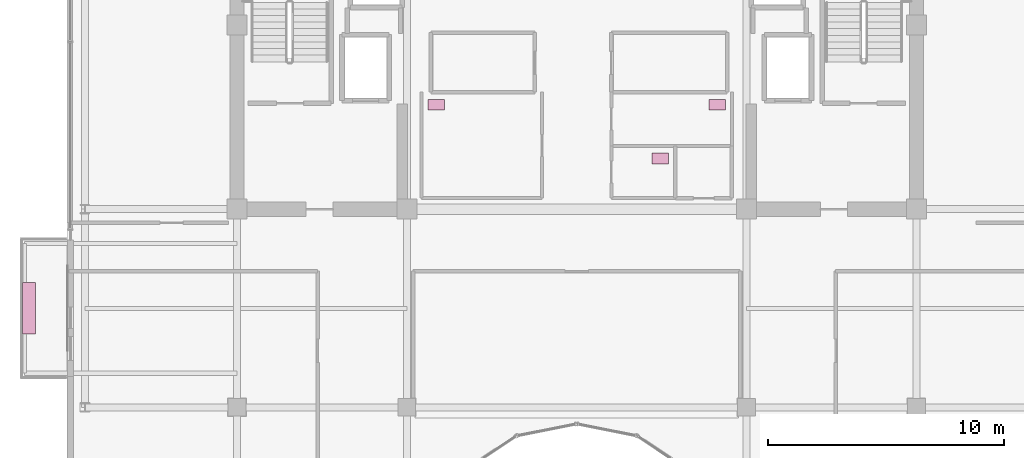
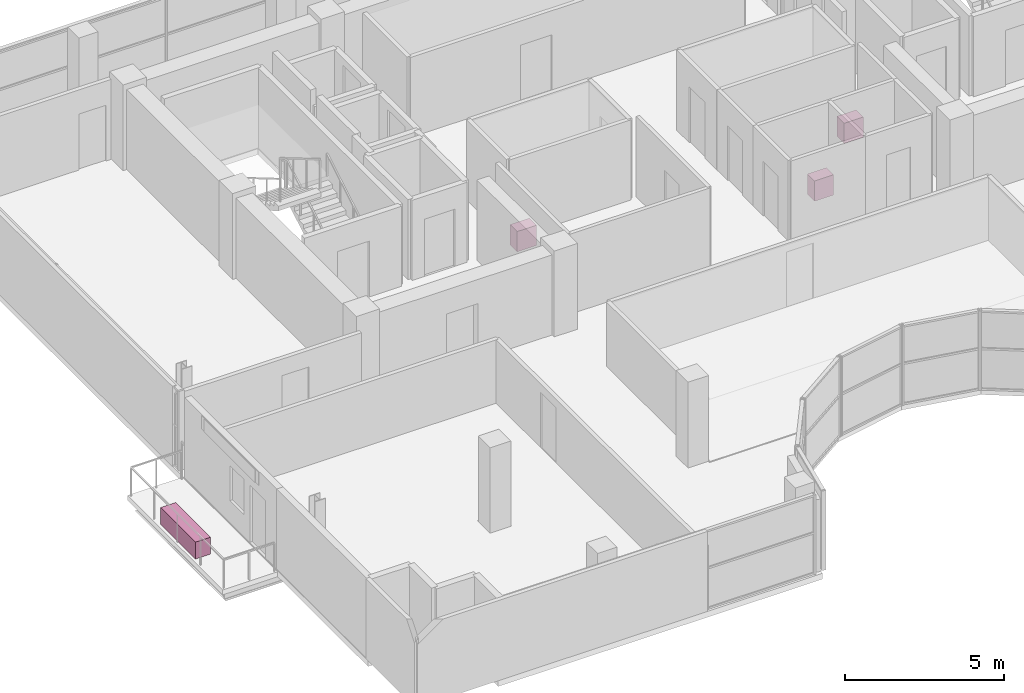
# One storey, part 28 of 28: 4 furnishings.
"""IFC4 building model written with IfcOpenShell, lengths in metres."""

from ifc_helpers import new_model, si_unit, direction, frame, origin, origin_2d, place, context, subcontext, project, spatial, rectangle, extrude, source, transform, mapped, material, type_object, element, save


model = new_model("IFC4")

# Units and contexts
model_context = context("Model", 3, precision=1e-05, world=origin(), true_north=direction((0.0, 1.0)))
body_context = subcontext(model_context, "Body", "Model", "MODEL_VIEW")
ifc_project = project(units=[si_unit("LENGTHUNIT", "METRE"), si_unit("AREAUNIT", "SQUARE_METRE"), si_unit("VOLUMEUNIT", "CUBIC_METRE"), si_unit("PLANEANGLEUNIT", "RADIAN"), si_unit("MASSUNIT", "GRAM", prefix="KILO")], contexts=[model_context])

# Site, building, storey
site_placement = place(None, origin())
site = spatial("IfcSite", under=ifc_project, at=site_placement, CompositionType="ELEMENT")
building_placement = place(site_placement, origin())
building = spatial("IfcBuilding", under=site, at=building_placement, Name="Zarnakvel Exchange Tower", CompositionType="ELEMENT")
storey_placement = place(building_placement, frame((0.0, 0.0, 268.300048828125)))
storey = spatial("IfcBuildingStorey", under=building, at=storey_placement, Name="L76", CompositionType="ELEMENT", Elevation=268.300048828125)

# Furnishings
ifc_material_1 = material(Name="Architectural Bronze Anodised Aluminium", Category="aluminium")
furnishing_element_type_1 = type_object("IfcFurnishingElementType", Name="PLNT-01", material=ifc_material_1)
shared_shape_1 = source(origin(), body_context, "Body", "SweptSolid", [
    extrude(rectangle(XDim=2.199951171875, YDim=0.550048828125, at=origin_2d()), origin(), (0.0, 0.0, 1.0), 0.64990234375),
])
furnishing_placement = place(storey_placement, frame((-23.219970703125, -5.39990234375, -0.034912109375), z_axis=(0.0, 0.0, 1.0), x_axis=(0.0, 1.0, 0.0)))
element("IfcFurnishingElement", 1, at=furnishing_placement, inside=storey, type_object=furnishing_element_type_1, Name="L76 Balcony Greenery Planter BAL-L76-W", ObjectType="PLANTER", context=body_context, shape_type="MappedRepresentation", body=[
    mapped(shared_shape_1, transform((0.0, 0.0, 0.0), x_axis=(1.0, 0.0, 0.0), y_axis=(0.0, 1.0, 0.0), z_axis=(0.0, 0.0, 1.0), scale=1.0)),
])
ifc_material_2 = material(Name="Vitreous China Sanitaryware", Category="ceramic")
furnishing_element_type_2 = type_object("IfcFurnishingElementType", Name="SAN-WC", material=ifc_material_2)
shared_shape_2 = source(origin(), body_context, "Body", "SweptSolid", [
    extrude(rectangle(XDim=0.699951171875, YDim=0.449951171875, at=origin_2d()), origin(), (0.0, 0.0, 1.0), 0.780029296875),
])
for number, where, z_axis, x_axis, name in (
    (2, (-5.949951171875, 3.22998046875, 0.0), (0.0, 0.0, 1.0), (1.0, 0.0, 0.0), "L76 Sanitary Fixture (Male Toilet)"),
    (3, (5.949951171875, 3.22998046875, 0.0), (0.0, 0.0, 1.0), (1.0, 0.0, 0.0), "L76 Sanitary Fixture (Female Toilet)"),
    (4, (3.550048828125, 0.949951171875, 0.0), (0.0, 0.0, 1.0), (1.0, 0.0, 0.0), "L76 Sanitary Fixture (Accessible Toilet)"),
):
    element("IfcFurnishingElement", number, at=place(storey_placement, frame(where, z_axis=z_axis, x_axis=x_axis)), inside=storey, type_object=furnishing_element_type_2, Name=name, ObjectType="SANITARY_FIXTURE", context=body_context, shape_type="MappedRepresentation", body=[
        mapped(shared_shape_2, transform((0.0, 0.0, 0.0), x_axis=(1.0, 0.0, 0.0), y_axis=(0.0, 1.0, 0.0), z_axis=(0.0, 0.0, 1.0), scale=1.0)),
    ])

save(model, "model.ifc")
